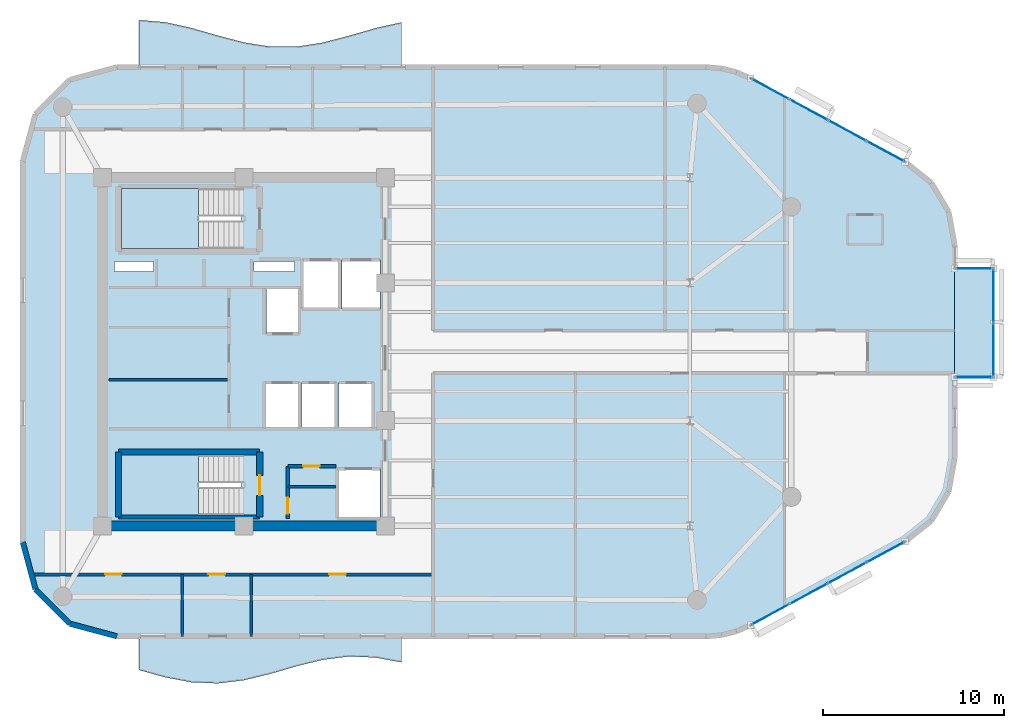
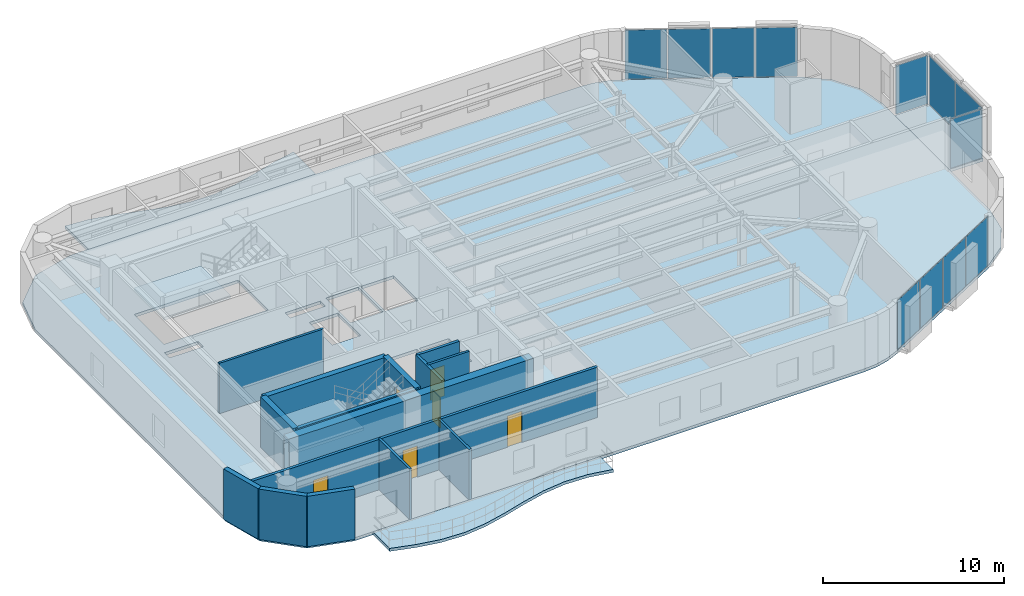
# One storey, part 9 of 15: 15 walls, 12 plates, 6 doors, 6 slabs, 6 openings, 7 elements without a shape of their own.
"""IFC4 building model written with IfcOpenShell, lengths in metres."""

from ifc_helpers import new_model, si_unit, direction, frame, frame_2d, origin, origin_2d, place, context, subcontext, project, spatial, polyline, rectangle, outline, extrude, material, layer, layer_set, type_object, element, fill, aggregate, save


model = new_model("IFC4")

# Units and contexts
model_context = context("Model", 3, precision=1e-05, world=origin(), true_north=direction((0.0, 1.0)))
body_context = subcontext(model_context, "Body", "Model", "MODEL_VIEW")
ifc_project = project(units=[si_unit("LENGTHUNIT", "METRE"), si_unit("AREAUNIT", "SQUARE_METRE"), si_unit("VOLUMEUNIT", "CUBIC_METRE"), si_unit("PLANEANGLEUNIT", "RADIAN"), si_unit("MASSUNIT", "GRAM", prefix="KILO")], contexts=[model_context])

# Site, building, storey
site_placement = place(None, origin())
site = spatial("IfcSite", under=ifc_project, at=site_placement, CompositionType="ELEMENT")
building_placement = place(site_placement, origin())
building = spatial("IfcBuilding", under=site, at=building_placement, Name="An Khanh Terracotta Commons", CompositionType="ELEMENT")
storey_placement = place(building_placement, frame((0.0, 0.0, 208.5)))
storey = spatial("IfcBuildingStorey", under=building, at=storey_placement, Name="L54", CompositionType="ELEMENT", Elevation=208.5)

# Curtain wall, plates
ifc_material_1 = material(Name="Anodised Aluminium 6063-T6", Category="aluminium")
ifc_layer_1 = layer(ifc_material_1, 0.2099609375, Name="Anodised Aluminium 6063-T6")
ifc_layer_set_1 = layer_set([ifc_layer_1], Name="Anodised Aluminium 6063-T6")
curtain_wall_type_1 = type_object("IfcCurtainWallType", Name="CW-SYS-03", PredefinedType="USERDEFINED", material=ifc_layer_set_1)
curtain_wall_1_placement = place(storey_placement, origin())
curtain_wall_1 = element("IfcCurtainWall", 1, at=curtain_wall_1_placement, inside=storey, type_object=curtain_wall_type_1, Name="L54 CW-03 Unitised Curtain Wall CW-L54-08", ObjectType="UNITISED CURTAIN WALL", PredefinedType="USERDEFINED")
ifc_material_2 = material(Name="Acoustic Laminated Low-E Glazing", Category="glass")
ifc_layer_2 = layer(ifc_material_2, 0.035888671875, Name="Acoustic Laminated Low-E Glazing")
ifc_layer_set_2 = layer_set([ifc_layer_2], Name="Acoustic Laminated Low-E Glazing")
plate_type_1 = type_object("IfcPlateType", Name="CWP-IGU-36", PredefinedType="CURTAIN_PANEL", material=ifc_layer_set_2)
plate_1_placement = place(storey_placement, frame((58.436767578125, 9.508544921875, 0.0498046875), z_axis=(0.0, 0.0, 1.0), x_axis=(0.879780095306, 0.47538088298, 0.0)))
plate_1 = element("IfcPlate", 2, at=plate_1_placement, type_object=plate_type_1, Name="CW-03 panel 1.1", PredefinedType="CURTAIN_PANEL", context=body_context, shape_type="SweptSolid", body=[
    extrude(rectangle(XDim=2.314697265625, YDim=0.035888671875, at=origin_2d()), origin(), (0.0, 0.0, 1.0), 3.300048828125),
])
plate_2_placement = place(storey_placement, frame((60.550048828125, 10.650390625, 0.0498046875), z_axis=(0.0, 0.0, 1.0), x_axis=(0.879780095306, 0.47538088298, 0.0)))
plate_2 = element("IfcPlate", 3, at=plate_2_placement, type_object=plate_type_1, Name="CW-03 panel 2.1", PredefinedType="CURTAIN_PANEL", context=body_context, shape_type="SweptSolid", body=[
    extrude(rectangle(XDim=2.349609375, YDim=0.035888671875, at=origin_2d()), origin(), (0.0, 0.0, 1.0), 3.300048828125),
])
plate_3_placement = place(storey_placement, frame((62.678955078125, 11.800537109375, 0.0498046875), z_axis=(0.0, 0.0, 1.0), x_axis=(0.879780095306, 0.47538088298, 0.0)))
plate_3 = element("IfcPlate", 4, at=plate_3_placement, type_object=plate_type_1, Name="CW-03 panel 3.1", PredefinedType="CURTAIN_PANEL", context=body_context, shape_type="SweptSolid", body=[
    extrude(rectangle(XDim=2.349609375, YDim=0.035888671875, at=origin_2d()), origin(), (0.0, 0.0, 1.0), 3.300048828125),
])
plate_4_placement = place(storey_placement, frame((64.792236328125, 12.942626953125, 0.0498046875), z_axis=(0.0, 0.0, 1.0), x_axis=(0.879780095306, 0.47538088298, 0.0)))
plate_4 = element("IfcPlate", 5, at=plate_4_placement, type_object=plate_type_1, Name="CW-03 panel 4.1", PredefinedType="CURTAIN_PANEL", context=body_context, shape_type="SweptSolid", body=[
    extrude(rectangle(XDim=2.314697265625, YDim=0.035888671875, at=origin_2d()), origin(), (0.0, 0.0, 1.0), 3.300048828125),
])
aggregate(curtain_wall_1, [plate_1, plate_2, plate_3, plate_4])

curtain_wall_2_placement = place(storey_placement, origin())
curtain_wall_2 = element("IfcCurtainWall", 6, at=curtain_wall_2_placement, inside=storey, type_object=curtain_wall_type_1, Name="L54 CW-03 Unitised Curtain Wall CW-L54-16", ObjectType="UNITISED CURTAIN WALL", PredefinedType="USERDEFINED")
plate_5_placement = place(storey_placement, frame((64.792236328125, 35.057373046875, 0.0498046875), z_axis=(0.0, 0.0, 1.0), x_axis=(-0.879780095306, 0.47538088298, 0.0)))
plate_5 = element("IfcPlate", 7, at=plate_5_placement, type_object=plate_type_1, Name="CW-03 panel 1.1", PredefinedType="CURTAIN_PANEL", context=body_context, shape_type="SweptSolid", body=[
    extrude(rectangle(XDim=2.314697265625, YDim=0.035888671875, at=origin_2d()), origin(), (0.0, 0.0, 1.0), 3.300048828125),
])
plate_6_placement = place(storey_placement, frame((62.678955078125, 36.199462890625, 0.0498046875), z_axis=(0.0, 0.0, 1.0), x_axis=(-0.879780095306, 0.47538088298, 0.0)))
plate_6 = element("IfcPlate", 8, at=plate_6_placement, type_object=plate_type_1, Name="CW-03 panel 2.1", PredefinedType="CURTAIN_PANEL", context=body_context, shape_type="SweptSolid", body=[
    extrude(rectangle(XDim=2.349609375, YDim=0.035888671875, at=origin_2d()), origin(), (0.0, 0.0, 1.0), 3.300048828125),
])
plate_7_placement = place(storey_placement, frame((60.550048828125, 37.349609375, 0.0498046875), z_axis=(0.0, 0.0, 1.0), x_axis=(-0.879780095306, 0.47538088298, 0.0)))
plate_7 = element("IfcPlate", 9, at=plate_7_placement, type_object=plate_type_1, Name="CW-03 panel 3.1", PredefinedType="CURTAIN_PANEL", context=body_context, shape_type="SweptSolid", body=[
    extrude(rectangle(XDim=2.349609375, YDim=0.035888671875, at=origin_2d()), origin(), (0.0, 0.0, 1.0), 3.300048828125),
])
plate_8_placement = place(storey_placement, frame((58.436767578125, 38.491455078125, 0.0498046875), z_axis=(0.0, 0.0, 1.0), x_axis=(-0.879780095306, 0.47538088298, 0.0)))
plate_8 = element("IfcPlate", 10, at=plate_8_placement, type_object=plate_type_1, Name="CW-03 panel 4.1", PredefinedType="CURTAIN_PANEL", context=body_context, shape_type="SweptSolid", body=[
    extrude(rectangle(XDim=2.314697265625, YDim=0.035888671875, at=origin_2d()), origin(), (0.0, 0.0, 1.0), 3.300048828125),
])
aggregate(curtain_wall_2, [plate_5, plate_6, plate_7, plate_8])

ifc_layer_3 = layer(ifc_material_1, 0.239990234375, Name="Anodised Aluminium 6063-T6")
ifc_layer_set_3 = layer_set([ifc_layer_3], Name="Anodised Aluminium 6063-T6")
curtain_wall_type_2 = type_object("IfcCurtainWallType", Name="CW-SYS-04", PredefinedType="USERDEFINED", material=ifc_layer_set_3)
curtain_wall_3_placement = place(storey_placement, origin())
curtain_wall_3 = element("IfcCurtainWall", 11, at=curtain_wall_3_placement, inside=storey, type_object=curtain_wall_type_2, Name="L54 CW-04 Unitised Curtain Wall CW-L54-EBOX-1", ObjectType="UNITISED CURTAIN WALL", PredefinedType="USERDEFINED")
ifc_material_3 = material(Name="Triple-Silver Sky-Lobby Glazing", Category="glass")
ifc_layer_4 = layer(ifc_material_3, 0.0400390625, Name="Triple-Silver Sky-Lobby Glazing")
ifc_layer_set_4 = layer_set([ifc_layer_4], Name="Triple-Silver Sky-Lobby Glazing")
plate_type_2 = type_object("IfcPlateType", Name="CWP-IGU-40", PredefinedType="CURTAIN_PANEL", material=ifc_layer_set_4)
plate_9_placement = place(storey_placement, frame((70.75, 24.1162109375, 0.06005859375), z_axis=(0.0, 0.0, 1.0), x_axis=(0.0, 1.0, 0.0)))
plate_9 = element("IfcPlate", 12, at=plate_9_placement, type_object=plate_type_2, Name="CW-04 panel 1.1", PredefinedType="CURTAIN_PANEL", context=body_context, shape_type="SweptSolid", body=[
    extrude(rectangle(XDim=2.902587890625, YDim=0.0400390625, at=origin_2d()), origin(), (0.0, 0.0, 1.0), 3.280029296875),
])
plate_10_placement = place(storey_placement, frame((70.75, 27.083740234375, 0.06005859375), z_axis=(0.0, 0.0, 1.0), x_axis=(0.0, 1.0, 0.0)))
plate_10 = element("IfcPlate", 13, at=plate_10_placement, type_object=plate_type_2, Name="CW-04 panel 2.1", PredefinedType="CURTAIN_PANEL", context=body_context, shape_type="SweptSolid", body=[
    extrude(rectangle(XDim=2.902587890625, YDim=0.0400390625, at=origin_2d()), origin(), (0.0, 0.0, 1.0), 3.280029296875),
])
aggregate(curtain_wall_3, [plate_9, plate_10])

# Curtain wall, plate
curtain_wall_4_placement = place(storey_placement, origin())
curtain_wall_4 = element("IfcCurtainWall", 14, at=curtain_wall_4_placement, inside=storey, type_object=curtain_wall_type_2, Name="L54 CW-04 Unitised Curtain Wall CW-L54-EBOX-2", ObjectType="UNITISED CURTAIN WALL", PredefinedType="USERDEFINED")
plate_11_placement = place(storey_placement, frame((69.675048828125, 22.60009765625, 0.06005859375), z_axis=(0.0, 0.0, 1.0), x_axis=(1.0, 0.0, 0.0)))
plate_11 = element("IfcPlate", 15, at=plate_11_placement, type_object=plate_type_2, Name="CW-04 panel 1.1", PredefinedType="CURTAIN_PANEL", context=body_context, shape_type="SweptSolid", body=[
    extrude(rectangle(XDim=2.02001953125, YDim=0.0400390625, at=origin_2d()), origin(), (0.0, 0.0, 1.0), 3.280029296875),
])
aggregate(curtain_wall_4, [plate_11])

curtain_wall_5_placement = place(storey_placement, origin())
curtain_wall_5 = element("IfcCurtainWall", 16, at=curtain_wall_5_placement, inside=storey, type_object=curtain_wall_type_2, Name="L54 CW-04 Unitised Curtain Wall CW-L54-EBOX-3", ObjectType="UNITISED CURTAIN WALL", PredefinedType="USERDEFINED")
plate_12_placement = place(storey_placement, frame((69.675048828125, 28.60009765625, 0.06005859375), z_axis=(0.0, 0.0, 1.0), x_axis=(-1.0, 0.0, 0.0)))
plate_12 = element("IfcPlate", 17, at=plate_12_placement, type_object=plate_type_2, Name="CW-04 panel 1.1", PredefinedType="CURTAIN_PANEL", context=body_context, shape_type="SweptSolid", body=[
    extrude(rectangle(XDim=2.02001953125, YDim=0.0400390625, at=origin_2d()), origin(), (0.0, 0.0, 1.0), 3.280029296875),
])
aggregate(curtain_wall_5, [plate_12])

# Slabs
ifc_material_4 = material(Name="Concrete C40/50", Category="concrete")
ifc_layer_5 = layer(ifc_material_4, 0.199951171875, Name="Concrete C40/50")
ifc_layer_set_5 = layer_set([ifc_layer_5], Name="Concrete C40/50")
slab_type_1 = type_object("IfcSlabType", Name="SLAB-BALC-200", PredefinedType="FLOOR", material=ifc_layer_set_5)
slab_1_placement = place(storey_placement, frame((0.0, 0.0, -0.199951171875)))
element("IfcSlab", 18, at=slab_1_placement, inside=storey, type_object=slab_type_1, Name="L54 S Sinusoidal Wave Balcony Slab", PredefinedType="FLOOR", context=body_context, shape_type="SweptSolid", body=[
    extrude(outline(polyline([(23.60009765625, 8.300048828125), (23.60009765625, 6.449951171875), (25.050048828125, 6.0458984375), (26.5, 5.76904296875), (27.949951171875, 5.70703125), (29.39990234375, 5.8798828125), (30.85009765625, 6.23193359375), (32.300048828125, 6.654052734375), (33.75, 7.010986328125), (35.199951171875, 7.19091796875), (36.64990234375, 7.136962890625), (38.10009765625, 6.866943359375), (38.10009765625, 8.300048828125), (23.60009765625, 8.300048828125)])), origin(), (0.0, 0.0, 1.0), 0.199951171875),
])
slab_2_placement = place(storey_placement, frame((0.0, 0.0, -0.199951171875)))
element("IfcSlab", 19, at=slab_2_placement, inside=storey, type_object=slab_type_1, Name="L54 N Sinusoidal Wave Balcony Slab", PredefinedType="FLOOR", context=body_context, shape_type="SweptSolid", body=[
    extrude(outline(polyline([(38.10009765625, 39.699951171875), (38.10009765625, 42.174072265625), (36.64990234375, 41.85107421875), (35.199951171875, 41.43310546875), (33.75, 41.052001953125), (32.300048828125, 40.827880859375), (30.85009765625, 40.83203125), (29.39990234375, 41.06298828125), (27.949951171875, 41.447021484375), (26.5, 41.864013671875), (25.050048828125, 42.181884765625), (23.60009765625, 42.300048828125), (23.60009765625, 39.699951171875), (38.10009765625, 39.699951171875)])), origin(), (0.0, 0.0, 1.0), 0.199951171875),
])

# Stair, slab
ifc_material_5 = material(Name="Precast concrete C40/50", Category="concrete")
stair_type = type_object("IfcStairType", Name="STAIR-CORE-1550", PredefinedType="HALF_TURN_STAIR", material=ifc_material_5)
stair_1_placement = place(storey_placement, origin())
stair_1 = element("IfcStair", 20, at=stair_1_placement, inside=storey, type_object=stair_type, Name="L54 Core Smokeproof Exit Stair ST-01", PredefinedType="HALF_TURN_STAIR")
ifc_layer_6 = layer(ifc_material_4, 0.18994140625, Name="Concrete C40/50")
ifc_layer_set_6 = layer_set([ifc_layer_6], Name="Concrete C40/50")
slab_type_2 = type_object("IfcSlabType", Name="SLAB-LANDING-190", PredefinedType="LANDING", material=ifc_layer_set_6)
slab_3_placement = place(storey_placement, frame((0.0, 0.0, 1.60009765625)))
slab_3 = element("IfcSlab", 21, at=slab_3_placement, type_object=slab_type_2, Name="ST-01 landing 1", PredefinedType="LANDING", context=body_context, shape_type="SweptSolid", body=[
    extrude(outline(polyline([(26.889892578125, 33.0), (22.64990234375, 33.0), (22.64990234375, 29.699951171875), (26.889892578125, 29.699951171875), (26.889892578125, 33.0)])), origin(), (0.0, 0.0, 1.0), 0.199951171875),
])
aggregate(stair_1, [slab_3])

stair_2_placement = place(storey_placement, origin())
stair_2 = element("IfcStair", 22, at=stair_2_placement, inside=storey, type_object=stair_type, Name="L54 Core Smokeproof Exit Stair ST-02", PredefinedType="HALF_TURN_STAIR")
slab_4_placement = place(storey_placement, frame((0.0, 0.0, 1.60009765625)))
slab_4 = element("IfcSlab", 23, at=slab_4_placement, type_object=slab_type_2, Name="ST-02 landing 1", PredefinedType="LANDING", context=body_context, shape_type="SweptSolid", body=[
    extrude(outline(polyline([(26.889892578125, 18.300048828125), (22.64990234375, 18.300048828125), (22.64990234375, 15.0), (26.889892578125, 15.0), (26.889892578125, 18.300048828125)])), origin(), (0.0, 0.0, 1.0), 0.199951171875),
])
aggregate(stair_2, [slab_4])

# Slabs
ifc_layer_7 = layer(ifc_material_4, 0.199951171875, Name="Concrete C40/50")
ifc_layer_set_7 = layer_set([ifc_layer_7], Name="Concrete C40/50")
slab_type_3 = type_object("IfcSlabType", Name="SLAB-TYP-200", PredefinedType="FLOOR", material=ifc_layer_set_7)
slab_5_placement = place(storey_placement, frame((0.0, 0.0, -0.199951171875)))
element("IfcSlab", 24, at=slab_5_placement, inside=storey, type_object=slab_type_3, Name="L54 Structural Floor Slab", PredefinedType="FLOOR", context=body_context, shape_type="SweptSolid", body=[
    extrude(outline(polyline([(17.199951171875, 13.5), (17.89697265625, 10.89990234375), (19.800048828125, 8.9970703125), (22.39990234375, 8.300048828125), (54.885009765625, 8.300048828125), (55.739990234375, 8.37109375), (56.571044921875, 8.5810546875), (57.35693359375, 8.925048828125), (65.8720703125, 13.52587890625), (67.320068359375, 14.68408203125), (68.26904296875, 16.27587890625), (68.60009765625, 18.10107421875), (68.60009765625, 29.89892578125), (68.26904296875, 31.72412109375), (67.320068359375, 33.31591796875), (65.8720703125, 34.47412109375), (57.35693359375, 39.074951171875), (56.571044921875, 39.4189453125), (55.739990234375, 39.62890625), (54.885009765625, 39.699951171875), (22.39990234375, 39.699951171875), (19.800048828125, 39.0029296875), (17.89697265625, 37.10009765625), (17.199951171875, 34.5), (17.199951171875, 13.5)]), holes=[polyline([(22.64990234375, 29.699951171875), (29.27001953125, 29.699951171875), (29.27001953125, 33.0), (22.64990234375, 33.0), (22.64990234375, 29.699951171875)]), polyline([(22.64990234375, 15.0), (29.27001953125, 15.0), (29.27001953125, 18.300048828125), (22.64990234375, 18.300048828125), (22.64990234375, 15.0)]), polyline([(32.60009765625, 26.35009765625), (34.679931640625, 26.35009765625), (34.679931640625, 29.080078125), (32.60009765625, 29.080078125), (32.60009765625, 26.35009765625)]), polyline([(34.820068359375, 26.35009765625), (36.89990234375, 26.35009765625), (36.89990234375, 29.080078125), (34.820068359375, 29.080078125), (34.820068359375, 26.35009765625)]), polyline([(34.550048828125, 14.800048828125), (36.89990234375, 14.800048828125), (36.89990234375, 17.550048828125), (34.550048828125, 17.550048828125), (34.550048828125, 14.800048828125)]), polyline([(30.639892578125, 25.0), (32.4599609375, 25.0), (32.4599609375, 27.5), (30.639892578125, 27.5), (30.639892578125, 25.0)]), polyline([(30.56005859375, 19.800048828125), (32.4599609375, 19.800048828125), (32.4599609375, 22.300048828125), (30.56005859375, 22.300048828125), (30.56005859375, 19.800048828125)]), polyline([(32.60009765625, 19.800048828125), (34.5, 19.800048828125), (34.5, 22.300048828125), (32.60009765625, 22.300048828125), (32.60009765625, 19.800048828125)]), polyline([(34.639892578125, 19.800048828125), (36.5400390625, 19.800048828125), (36.5400390625, 22.300048828125), (34.639892578125, 22.300048828125), (34.639892578125, 19.800048828125)]), polyline([(22.25, 28.419921875), (24.39990234375, 28.419921875), (24.39990234375, 28.97998046875), (22.25, 28.97998046875), (22.25, 28.419921875)]), polyline([(29.949951171875, 28.419921875), (32.199951171875, 28.419921875), (32.199951171875, 28.97998046875), (29.949951171875, 28.97998046875), (29.949951171875, 28.419921875)])]), origin(), (0.0, 0.0, 1.0), 0.199951171875),
])
slab_6_placement = place(storey_placement, frame((0.0, 0.0, -0.199951171875)))
element("IfcSlab", 25, at=slab_6_placement, inside=storey, type_object=slab_type_3, Name="L54 Shifted Social Kitchen Box Floor Slab", PredefinedType="FLOOR", context=body_context, shape_type="SweptSolid", body=[
    extrude(outline(polyline([(68.60009765625, 22.60009765625), (70.75, 22.60009765625), (70.75, 28.60009765625), (68.60009765625, 28.60009765625), (68.60009765625, 22.60009765625)])), origin(), (0.0, 0.0, 1.0), 0.199951171875),
])

# Wall
ifc_material_6 = material(Name="Concrete C50/60", Category="concrete")
ifc_layer_8 = layer(ifc_material_6, 0.550048828125, Name="Concrete C50/60")
ifc_layer_set_8 = layer_set([ifc_layer_8], Name="Concrete C50/60")
wall_type_1 = type_object("IfcWallType", Name="WALL-CORE-550", PredefinedType="SHEAR", material=ifc_layer_set_8)
wall_1_placement = place(storey_placement, frame((37.199951171875, 14.39990234375, 0.0), z_axis=(0.0, 0.0, 1.0), x_axis=(-1.0, 0.0, 0.0)))
element("IfcWall", 26, at=wall_1_placement, inside=storey, type_object=wall_type_1, Name="L54 Core Wall CWALL-L54-S", PredefinedType="SHEAR", context=body_context, shape_type="SweptSolid", body=[
    extrude(rectangle(XDim=15.599853515625, YDim=0.550048828125, at=frame_2d((7.7998046875, 0.0))), origin(), (0.0, 0.0, 1.0), 3.39990234375),
])

# Wall, opening, door
ifc_material_7 = material(Name="Fire-Rated Gypsum Board on Steel Stud", Category="steel")
ifc_layer_9 = layer(ifc_material_7, 0.179931640625, Name="Fire-Rated Gypsum Board on Steel Stud")
ifc_layer_set_9 = layer_set([ifc_layer_9], Name="Fire-Rated Gypsum Board on Steel Stud")
wall_type_2 = type_object("IfcWallType", Name="WALL-CORR-180", PredefinedType="PARTITIONING", material=ifc_layer_set_9)
wall_2_placement = place(storey_placement, frame((31.820068359375, 17.679931640625, 0.0), z_axis=(0.0, 0.0, 1.0), x_axis=(1.0, 0.0, 0.0)))
wall_2 = element("IfcWall", 27, at=wall_2_placement, inside=storey, type_object=wall_type_2, Name="L54 Core Wall SSVCW-L54-N", PredefinedType="PARTITIONING", context=body_context, shape_type="SweptSolid", body=[
    extrude(rectangle(XDim=2.659912109375, YDim=0.179931640625, at=frame_2d((1.330078125, 0.0))), origin(), (0.0, 0.0, 1.0), 3.39990234375),
])
opening_1_placement = place(wall_2_placement, frame((0.85009765625, 0.0, 0.0)))
opening_1 = element("IfcOpeningElement", 28, at=opening_1_placement, cuts=wall_2, Name="Opening D-SV", PredefinedType="OPENING", context=body_context, shape_type="SweptSolid", body=[
    extrude(rectangle(XDim=0.89990234375, YDim=2.050048828125, at=frame_2d((0.449951171875, 1.02490234375))), frame((0.0, 0.099853515625, 0.0), z_axis=(0.0, -1.0, 0.0), x_axis=(1.0, 0.0, 0.0)), (0.0, 0.0, 1.0), 0.199951171875),
])
ifc_material_8 = material(Name="Fire-Rated Powder-Coated Steel Door", Category="steel")
door_type_1 = type_object("IfcDoorType", Name="DOOR-SERV-900", OperationType="NOTDEFINED", PredefinedType="DOOR", material=ifc_material_8)
door_1_placement = place(opening_1_placement, origin())
door_1 = element("IfcDoor", 29, at=door_1_placement, inside=storey, type_object=door_type_1, Name="L54 Core Cleaner Store Door", OperationType="SINGLE_SWING_LEFT", OverallHeight=2.050048828125, OverallWidth=0.89990234375, PredefinedType="DOOR", context=body_context, shape_type="SweptSolid", body=[
    extrude(rectangle(XDim=0.89990234375, YDim=2.050048828125, at=frame_2d((0.449951171875, 1.02490234375))), frame((0.0, 0.02490234375, 0.0), z_axis=(0.0, -1.0, 0.0), x_axis=(1.0, 0.0, 0.0)), (0.0, 0.0, 1.0), 0.050048828125),
])
fill(opening_1, door_1)

wall_3_placement = place(storey_placement, frame((31.820068359375, 14.800048828125, 0.0), z_axis=(0.0, 0.0, 1.0), x_axis=(0.0, 1.0, 0.0)))
wall_3 = element("IfcWall", 30, at=wall_3_placement, inside=storey, type_object=wall_type_2, Name="L54 Core Wall SSVCW-L54-W", PredefinedType="PARTITIONING", context=body_context, shape_type="SweptSolid", body=[
    extrude(rectangle(XDim=2.8798828125, YDim=0.179931640625, at=frame_2d((1.43994140625, 0.0))), origin(), (0.0, 0.0, 1.0), 3.39990234375),
])
opening_2_placement = place(wall_3_placement, frame((0.260009765625, 0.0, 0.0)))
opening_2 = element("IfcOpeningElement", 31, at=opening_2_placement, cuts=wall_3, Name="Opening D-SV", PredefinedType="OPENING", context=body_context, shape_type="SweptSolid", body=[
    extrude(rectangle(XDim=0.89990234375, YDim=2.050048828125, at=frame_2d((0.449951171875, 1.02490234375))), frame((0.0, 0.099853515625, 0.0), z_axis=(0.0, -1.0, 0.0), x_axis=(1.0, 0.0, 0.0)), (0.0, 0.0, 1.0), 0.199951171875),
])
door_2_placement = place(opening_2_placement, origin())
door_2 = element("IfcDoor", 32, at=door_2_placement, inside=storey, type_object=door_type_1, Name="L54 Telecoms BMS Cupboard Door", OperationType="SINGLE_SWING_RIGHT", OverallHeight=2.050048828125, OverallWidth=0.89990234375, PredefinedType="DOOR", context=body_context, shape_type="SweptSolid", body=[
    extrude(rectangle(XDim=0.89990234375, YDim=2.050048828125, at=frame_2d((0.449951171875, 1.02490234375))), frame((0.0, 0.02490234375, 0.0), z_axis=(0.0, -1.0, 0.0), x_axis=(1.0, 0.0, 0.0)), (0.0, 0.0, 1.0), 0.050048828125),
])
fill(opening_2, door_2)

# Wall, openings, doors
wall_4_placement = place(storey_placement, frame((17.677001953125, 11.719970703125, 0.0), z_axis=(0.0, 0.0, 1.0), x_axis=(1.0, 0.0, 0.0)))
wall_4 = element("IfcWall", 33, at=wall_4_placement, inside=storey, type_object=wall_type_2, Name="L54 Interior Partition IW-L54-E001", PredefinedType="PARTITIONING", context=body_context, shape_type="SweptSolid", body=[
    extrude(rectangle(XDim=22.173095703125, YDim=0.179931640625, at=frame_2d((11.08642578125, 0.0))), origin(), (0.0, 0.0, 1.0), 3.39990234375),
])
opening_3_placement = place(wall_4_placement, frame((9.762939453125, 0.0, 0.0)))
opening_3 = element("IfcOpeningElement", 34, at=opening_3_placement, cuts=wall_4, Name="Opening D-RM", PredefinedType="OPENING", context=body_context, shape_type="SweptSolid", body=[
    extrude(rectangle(XDim=0.919921875, YDim=2.10009765625, at=frame_2d((0.4599609375, 1.050048828125))), frame((0.0, 0.099853515625, 0.0), z_axis=(0.0, -1.0, 0.0), x_axis=(1.0, 0.0, 0.0)), (0.0, 0.0, 1.0), 0.199951171875),
])
opening_4_placement = place(wall_4_placement, frame((4.06298828125, 0.0, 0.0)))
opening_4 = element("IfcOpeningElement", 35, at=opening_4_placement, cuts=wall_4, Name="Opening D-RM", PredefinedType="OPENING", context=body_context, shape_type="SweptSolid", body=[
    extrude(rectangle(XDim=0.919921875, YDim=2.10009765625, at=frame_2d((0.4599609375, 1.050048828125))), frame((0.0, 0.099853515625, 0.0), z_axis=(0.0, -1.0, 0.0), x_axis=(1.0, 0.0, 0.0)), (0.0, 0.0, 1.0), 0.199951171875),
])
opening_5_placement = place(wall_4_placement, frame((16.427978515625, 0.0, 0.0)))
opening_5 = element("IfcOpeningElement", 36, at=opening_5_placement, cuts=wall_4, Name="Opening D-RM", PredefinedType="OPENING", context=body_context, shape_type="SweptSolid", body=[
    extrude(rectangle(XDim=0.919921875, YDim=2.10009765625, at=frame_2d((0.4599609375, 1.050048828125))), frame((0.0, 0.099853515625, 0.0), z_axis=(0.0, -1.0, 0.0), x_axis=(1.0, 0.0, 0.0)), (0.0, 0.0, 1.0), 0.199951171875),
])
ifc_material_9 = material(Name="Engineered Hardwood Timber Leaf", Category="wood")
door_type_2 = type_object("IfcDoorType", Name="DOOR-INT-920", OperationType="NOTDEFINED", PredefinedType="DOOR", material=ifc_material_9)
door_3_placement = place(opening_3_placement, origin())
door_3 = element("IfcDoor", 37, at=door_3_placement, inside=storey, type_object=door_type_2, Name="L54 HKP Housekeeping Linen Store Door", OperationType="SINGLE_SWING_LEFT", OverallHeight=2.10009765625, OverallWidth=0.919921875, PredefinedType="DOOR", context=body_context, shape_type="SweptSolid", body=[
    extrude(rectangle(XDim=0.919921875, YDim=2.10009765625, at=frame_2d((0.4599609375, 1.050048828125))), frame((0.0, 0.02490234375, 0.0), z_axis=(0.0, -1.0, 0.0), x_axis=(1.0, 0.0, 0.0)), (0.0, 0.0, 1.0), 0.050048828125),
])
fill(opening_3, door_3)
door_4_placement = place(opening_4_placement, origin())
door_4 = element("IfcDoor", 38, at=door_4_placement, inside=storey, type_object=door_type_2, Name="L54 SW1 Communal Kitchen and Dining Door", OperationType="SINGLE_SWING_LEFT", OverallHeight=2.10009765625, OverallWidth=0.919921875, PredefinedType="DOOR", context=body_context, shape_type="SweptSolid", body=[
    extrude(rectangle(XDim=0.919921875, YDim=2.10009765625, at=frame_2d((0.4599609375, 1.050048828125))), frame((0.0, 0.02490234375, 0.0), z_axis=(0.0, -1.0, 0.0), x_axis=(1.0, 0.0, 0.0)), (0.0, 0.0, 1.0), 0.050048828125),
])
fill(opening_4, door_4)
door_5_placement = place(opening_5_placement, origin())
door_5 = element("IfcDoor", 39, at=door_5_placement, inside=storey, type_object=door_type_2, Name="L54 SWE Communal Kitchen and Dining Door", OperationType="SINGLE_SWING_RIGHT", OverallHeight=2.10009765625, OverallWidth=0.919921875, PredefinedType="DOOR", context=body_context, shape_type="SweptSolid", body=[
    extrude(rectangle(XDim=0.919921875, YDim=2.10009765625, at=frame_2d((0.4599609375, 1.050048828125))), frame((0.0, 0.02490234375, 0.0), z_axis=(0.0, -1.0, 0.0), x_axis=(1.0, 0.0, 0.0)), (0.0, 0.0, 1.0), 0.050048828125),
])
fill(opening_5, door_5)

# Walls
ifc_layer_10 = layer(ifc_material_5, 0.300048828125, Name="Precast concrete C40/50")
ifc_layer_set_10 = layer_set([ifc_layer_10], Name="Precast concrete C40/50")
wall_type_3 = type_object("IfcWallType", Name="WALL-EXT-300", PredefinedType="SOLIDWALL", material=ifc_layer_set_10)
wall_5_placement = place(storey_placement, frame((17.199951171875, 13.5, 0.0), z_axis=(0.0, 0.0, 1.0), x_axis=(0.258932525951, -0.965895412042, 0.0)))
element("IfcWall", 40, at=wall_5_placement, inside=storey, type_object=wall_type_3, Name="L54 Insulated Terracotta Exterior Wall 1", PredefinedType="SOLIDWALL", context=body_context, shape_type="SweptSolid", body=[
    extrude(rectangle(XDim=2.69189453125, YDim=0.300048828125, at=frame_2d((1.345947265625, 0.0))), origin(), (0.0, 0.0, 1.0), 3.39990234375),
])
wall_6_placement = place(storey_placement, frame((17.89697265625, 10.89990234375, 0.0), z_axis=(0.0, 0.0, 1.0), x_axis=(0.707152139074, -0.70706142039, 0.0)))
element("IfcWall", 41, at=wall_6_placement, inside=storey, type_object=wall_type_3, Name="L54 Insulated Terracotta Exterior Wall 2", PredefinedType="SOLIDWALL", context=body_context, shape_type="SweptSolid", body=[
    extrude(rectangle(XDim=2.691162109375, YDim=0.300048828125, at=frame_2d((1.345703125, 0.0))), origin(), (0.0, 0.0, 1.0), 3.39990234375),
])
wall_7_placement = place(storey_placement, frame((19.800048828125, 8.9970703125, 0.0), z_axis=(0.0, 0.0, 1.0), x_axis=(0.965889330541, -0.258955210695, 0.0)))
element("IfcWall", 42, at=wall_7_placement, inside=storey, type_object=wall_type_3, Name="L54 Insulated Terracotta Exterior Wall 3", PredefinedType="SOLIDWALL", context=body_context, shape_type="SweptSolid", body=[
    extrude(rectangle(XDim=2.691650390625, YDim=0.300048828125, at=frame_2d((1.345703125, 0.0))), origin(), (0.0, 0.0, 1.0), 3.39990234375),
])
ifc_material_10 = material(Name="Acoustic Gypsum Board Partition")
ifc_layer_11 = layer(ifc_material_10, 0.14990234375, Name="Acoustic Gypsum Board Partition")
ifc_layer_set_11 = layer_set([ifc_layer_11], Name="Acoustic Gypsum Board Partition")
wall_type_4 = type_object("IfcWallType", Name="WALL-PART-150", PredefinedType="PARTITIONING", material=ifc_layer_set_11)
wall_8_placement = place(storey_placement, frame((31.820068359375, 16.550048828125, 0.0), z_axis=(0.0, 0.0, 1.0), x_axis=(1.0, 0.0, 0.0)))
element("IfcWall", 43, at=wall_8_placement, inside=storey, type_object=wall_type_4, Name="L54 Core Wall SSVCW-L54-M", PredefinedType="PARTITIONING", context=body_context, shape_type="SweptSolid", body=[
    extrude(rectangle(XDim=2.659912109375, YDim=0.14990234375, at=frame_2d((1.330078125, 0.0))), origin(), (0.0, 0.0, 1.0), 3.39990234375),
])
wall_9_placement = place(storey_placement, frame((21.949951171875, 22.449951171875, 0.0), z_axis=(0.0, 0.0, 1.0), x_axis=(1.0, 0.0, 0.0)))
element("IfcWall", 44, at=wall_9_placement, inside=storey, type_object=wall_type_4, Name="L54 Core Wall RECW-L54-H2", PredefinedType="PARTITIONING", context=body_context, shape_type="SweptSolid", body=[
    extrude(rectangle(XDim=6.630126953125, YDim=0.14990234375, at=frame_2d((3.31494140625, 0.0))), origin(), (0.0, 0.0, 1.0), 3.39990234375),
])
for number, where, z_axis, x_axis, name in (
    (45, (26.0, 8.300048828125, 0.0), (0.0, 0.0, 1.0), (0.0, 1.0, 0.0), "L54 Interior Partition IW-L54-E005"),
    (46, (29.800048828125, 8.300048828125, 0.0), (0.0, 0.0, 1.0), (0.0, 1.0, 0.0), "L54 Interior Partition IW-L54-E008"),
):
    element("IfcWall", number, at=place(storey_placement, frame(where, z_axis=z_axis, x_axis=x_axis)), inside=storey, type_object=wall_type_4, Name=name, PredefinedType="PARTITIONING", context=body_context, shape_type="SweptSolid", body=[
        extrude(rectangle(XDim=3.419921875, YDim=0.14990234375, at=frame_2d((1.7099609375, 0.0))), origin(), (0.0, 0.0, 1.0), 3.39990234375),
    ])
ifc_material_11 = material(Name="Acoustic Double-Stud Gypsum and Mineral Wool")
ifc_layer_12 = layer(ifc_material_11, 0.219970703125, Name="Acoustic Double-Stud Gypsum and Mineral Wool")
ifc_layer_set_12 = layer_set([ifc_layer_12], Name="Acoustic Double-Stud Gypsum and Mineral Wool")
wall_type_5 = type_object("IfcWallType", Name="WALL-PARTY-220", PredefinedType="PARTITIONING", material=ifc_layer_set_12)
wall_10_placement = place(storey_placement, frame((22.47998046875, 14.889892578125, 0.0), z_axis=(0.0, 0.0, 1.0), x_axis=(1.0, 0.0, 0.0)))
element("IfcWall", 47, at=wall_10_placement, inside=storey, type_object=wall_type_5, Name="L54 Core Wall STW-L54-S-S", PredefinedType="PARTITIONING", context=body_context, shape_type="SweptSolid", body=[
    extrude(rectangle(XDim=7.7900390625, YDim=0.219970703125, at=frame_2d((3.89501953125, 0.0))), origin(), (0.0, 0.0, 1.0), 3.39990234375),
])
ifc_layer_13 = layer(ifc_material_6, 0.35009765625, Name="Concrete C50/60")
ifc_layer_set_13 = layer_set([ifc_layer_13], Name="Concrete C50/60")
wall_type_6 = type_object("IfcWallType", Name="WALL-SHAFT-350", PredefinedType="SOLIDWALL", material=ifc_layer_set_13)
wall_11_placement = place(storey_placement, frame((22.47998046875, 18.469970703125, 0.0), z_axis=(0.0, 0.0, 1.0), x_axis=(1.0, 0.0, 0.0)))
element("IfcWall", 48, at=wall_11_placement, inside=storey, type_object=wall_type_6, Name="L54 Core Wall STW-L54-S-N", PredefinedType="SOLIDWALL", context=body_context, shape_type="SweptSolid", body=[
    extrude(rectangle(XDim=7.7900390625, YDim=0.35009765625, at=frame_2d((3.89501953125, 0.0))), origin(), (0.0, 0.0, 1.0), 3.39990234375),
])
wall_12_placement = place(storey_placement, frame((22.47998046875, 14.889892578125, 0.0), z_axis=(0.0, 0.0, 1.0), x_axis=(0.0, 1.0, 0.0)))
element("IfcWall", 49, at=wall_12_placement, inside=storey, type_object=wall_type_6, Name="L54 Core Wall STW-L54-S-W", PredefinedType="SOLIDWALL", context=body_context, shape_type="SweptSolid", body=[
    extrude(rectangle(XDim=3.580078125, YDim=0.35009765625, at=frame_2d((1.7900390625, 0.0))), origin(), (0.0, 0.0, 1.0), 3.39990234375),
])

# Wall, opening, door
wall_13_placement = place(storey_placement, frame((30.27001953125, 14.889892578125, 0.0), z_axis=(0.0, 0.0, 1.0), x_axis=(0.0, 1.0, 0.0)))
wall_13 = element("IfcWall", 50, at=wall_13_placement, inside=storey, type_object=wall_type_6, Name="L54 Core Wall STW-L54-S-E", PredefinedType="SOLIDWALL", context=body_context, shape_type="SweptSolid", body=[
    extrude(rectangle(XDim=3.580078125, YDim=0.35009765625, at=frame_2d((1.7900390625, 0.0))), origin(), (0.0, 0.0, 1.0), 3.39990234375),
])
opening_6_placement = place(wall_13_placement, frame((1.18994140625, 0.0, 0.0)))
opening_6 = element("IfcOpeningElement", 51, at=opening_6_placement, cuts=wall_13, Name="Opening D-ST", PredefinedType="OPENING", context=body_context, shape_type="SweptSolid", body=[
    extrude(rectangle(XDim=1.10009765625, YDim=2.14990234375, at=frame_2d((0.550048828125, 1.074951171875))), frame((0.0, 0.18505859375, 0.0), z_axis=(0.0, -1.0, 0.0), x_axis=(1.0, 0.0, 0.0)), (0.0, 0.0, 1.0), 0.3701171875),
])
ifc_material_12 = material(Name="Fire-Rated Steel Leaf and Frame", Category="steel")
door_type_3 = type_object("IfcDoorType", Name="DOOR-STAIR-1100", OperationType="NOTDEFINED", PredefinedType="DOOR", material=ifc_material_12)
door_6_placement = place(opening_6_placement, origin())
door_6 = element("IfcDoor", 52, at=door_6_placement, inside=storey, type_object=door_type_3, Name="L54 Stair ST-02 Fire Door", OperationType="SINGLE_SWING_RIGHT", OverallHeight=2.14990234375, OverallWidth=1.10009765625, PredefinedType="DOOR", context=body_context, shape_type="SweptSolid", body=[
    extrude(rectangle(XDim=1.10009765625, YDim=2.14990234375, at=frame_2d((0.550048828125, 1.074951171875))), frame((0.0, 0.02490234375, 0.0), z_axis=(0.0, -1.0, 0.0), x_axis=(1.0, 0.0, 0.0)), (0.0, 0.0, 1.0), 0.050048828125),
])
fill(opening_6, door_6)

save(model, "model.ifc")
